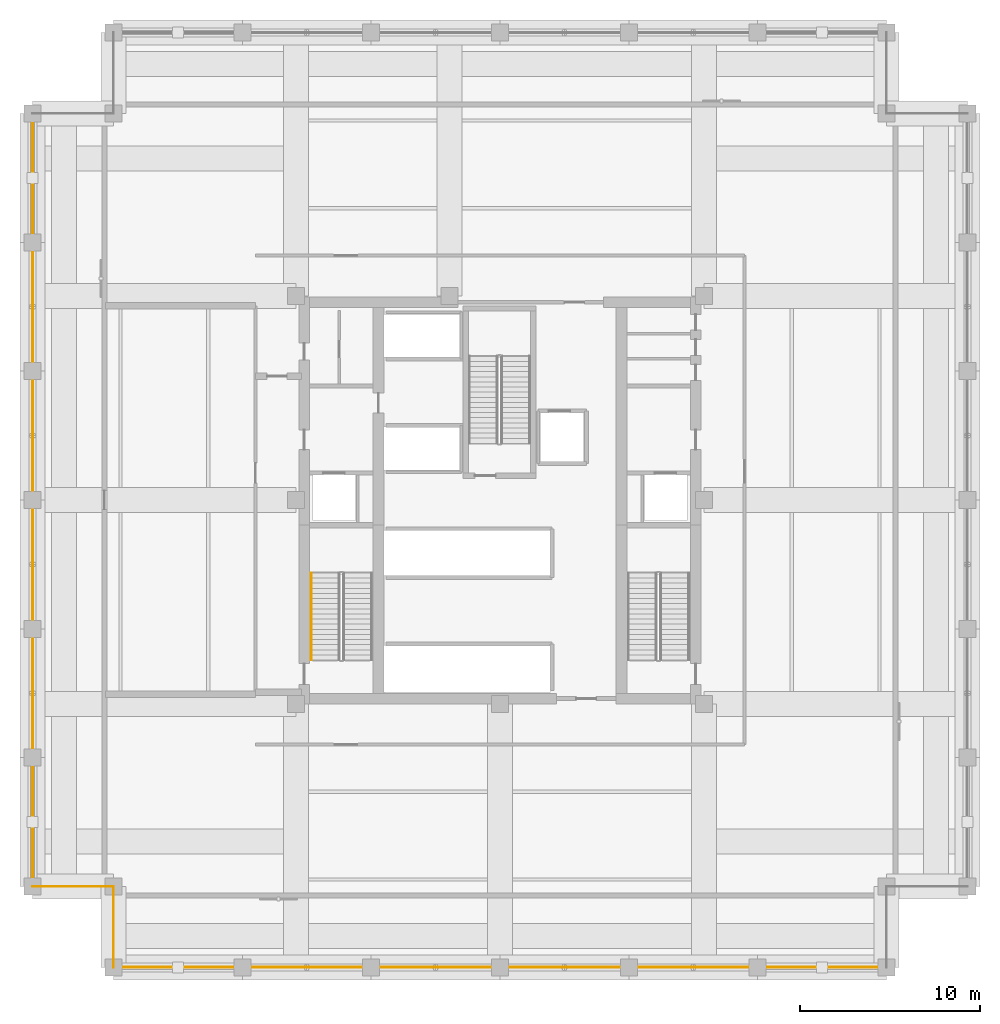
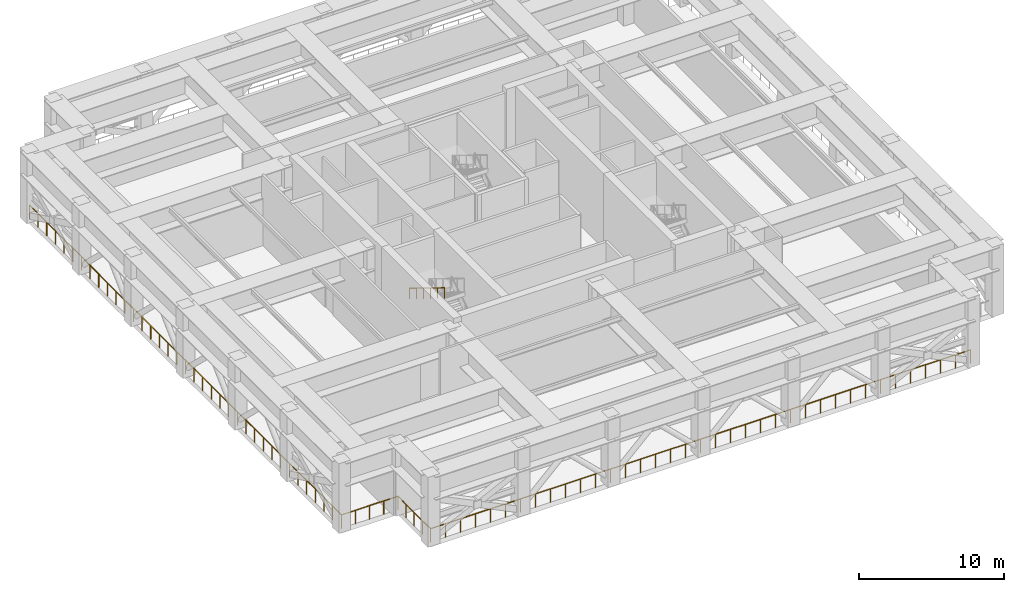
# One storey, part 7 of 12: 5 railings.
"""IFC4 building model written with IfcOpenShell, lengths in metres."""

from ifc_helpers import new_model, si_unit, direction, frame, origin, origin_2d, place, context, subcontext, project, spatial, circle, extrude, material, type_object, element, save


model = new_model("IFC4")

# Units and contexts
model_context = context("Model", 3, precision=1e-05, world=origin(), true_north=direction((0.0, 1.0)))
body_context = subcontext(model_context, "Body", "Model", "MODEL_VIEW")
ifc_project = project(units=[si_unit("LENGTHUNIT", "METRE"), si_unit("AREAUNIT", "SQUARE_METRE"), si_unit("VOLUMEUNIT", "CUBIC_METRE"), si_unit("PLANEANGLEUNIT", "RADIAN"), si_unit("MASSUNIT", "GRAM", prefix="KILO")], contexts=[model_context])

# Site, building, storey
site_placement = place(None, origin())
site = spatial("IfcSite", under=ifc_project, at=site_placement, CompositionType="ELEMENT")
building_placement = place(site_placement, origin())
building = spatial("IfcBuilding", under=site, at=building_placement, Name="Nhamokura Convention Tower", CompositionType="ELEMENT")
storey_placement = place(building_placement, frame((0.0, 0.0, 176.050048828125)))
storey = spatial("IfcBuildingStorey", under=building, at=storey_placement, Name="L43", CompositionType="ELEMENT", Elevation=176.050048828125)

# Railings
ifc_material_1 = material(Name="Anodised bronze stainless steel", Category="steel")
railing_type_1 = type_object("IfcRailingType", Name="StairWallHandrail_900", PredefinedType="HANDRAIL", material=ifc_material_1)
railing_1_placement = place(storey_placement, frame((21.5, 27.945068359375, 3.324951171875)))
element("IfcRailing", 1, at=railing_1_placement, inside=storey, type_object=railing_type_1, Name="L43 ST-01 stair handrail 2", PredefinedType="HANDRAIL", context=body_context, shape_type="SweptSolid", body=[
    extrude(circle(Radius=0.02392578125, at=origin_2d()), frame((0.0, 0.0, 0.8759765625), z_axis=(0.0, -0.852162155598, 0.52327780439), x_axis=(1.0, 0.0, 0.0)), (0.0, 0.0, 1.0), 5.685546875),
    extrude(circle(Radius=0.02099609375, at=origin_2d()), origin(), (0.0, 0.0, 1.0), 0.851806640625),
    extrude(circle(Radius=0.02099609375, at=origin_2d()), frame((0.0, -0.968994140625, 0.594970703125)), (0.0, 0.0, 1.0), 0.851806640625),
    extrude(circle(Radius=0.02099609375, at=origin_2d()), frame((0.0, -1.93798828125, 1.18994140625)), (0.0, 0.0, 1.0), 0.851806640625),
    extrude(circle(Radius=0.02099609375, at=origin_2d()), frame((0.0, -2.906982421875, 1.78515625)), (0.0, 0.0, 1.0), 0.851806640625),
    extrude(circle(Radius=0.02099609375, at=origin_2d()), frame((0.0, -3.8759765625, 2.380126953125)), (0.0, 0.0, 1.0), 0.851806640625),
    extrude(circle(Radius=0.02099609375, at=origin_2d()), frame((0.0, -4.844970703125, 2.97509765625)), (0.0, 0.0, 1.0), 0.851806640625),
])
ifc_material_2 = material(Name="Anodised bronze stainless steel", Category="steel")
railing_type_2 = type_object("IfcRailingType", Name="TerraceGuardrail_1150", PredefinedType="GUARDRAIL", material=ifc_material_2)
railing_2_placement = place(storey_placement, frame((10.5, 6.0, 0.0)))
element("IfcRailing", 2, at=railing_2_placement, inside=storey, type_object=railing_type_2, Name="L43 Perimeter Guardrail 01", PredefinedType="GUARDRAIL", context=body_context, shape_type="SweptSolid", body=[
    extrude(circle(Radius=0.02392578125, at=origin_2d()), frame((0.0, 0.0, 1.1259765625), z_axis=(1.0, 0.0, 0.0), x_axis=(0.0, 1.0, 0.0)), (0.0, 0.0, 1.0), 43.0),
    extrude(circle(Radius=0.02099609375, at=origin_2d()), origin(), (0.0, 0.0, 1.0), 1.101806640625),
    extrude(circle(Radius=0.02099609375, at=origin_2d()), frame((1.1943359375, 0.0, 0.0)), (0.0, 0.0, 1.0), 1.101806640625),
    extrude(circle(Radius=0.02099609375, at=origin_2d()), frame((2.388916015625, 0.0, 0.0)), (0.0, 0.0, 1.0), 1.101806640625),
    extrude(circle(Radius=0.02099609375, at=origin_2d()), frame((3.583251953125, 0.0, 0.0)), (0.0, 0.0, 1.0), 1.101806640625),
    extrude(circle(Radius=0.02099609375, at=origin_2d()), frame((4.77783203125, 0.0, 0.0)), (0.0, 0.0, 1.0), 1.101806640625),
    extrude(circle(Radius=0.02099609375, at=origin_2d()), frame((5.97216796875, 0.0, 0.0)), (0.0, 0.0, 1.0), 1.101806640625),
    extrude(circle(Radius=0.02099609375, at=origin_2d()), frame((7.166748046875, 0.0, 0.0)), (0.0, 0.0, 1.0), 1.101806640625),
    extrude(circle(Radius=0.02099609375, at=origin_2d()), frame((8.361083984375, 0.0, 0.0)), (0.0, 0.0, 1.0), 1.101806640625),
    extrude(circle(Radius=0.02099609375, at=origin_2d()), frame((9.5556640625, 0.0, 0.0)), (0.0, 0.0, 1.0), 1.101806640625),
    extrude(circle(Radius=0.02099609375, at=origin_2d()), frame((10.75, 0.0, 0.0)), (0.0, 0.0, 1.0), 1.101806640625),
    extrude(circle(Radius=0.02099609375, at=origin_2d()), frame((11.9443359375, 0.0, 0.0)), (0.0, 0.0, 1.0), 1.101806640625),
    extrude(circle(Radius=0.02099609375, at=origin_2d()), frame((13.138916015625, 0.0, 0.0)), (0.0, 0.0, 1.0), 1.101806640625),
    extrude(circle(Radius=0.02099609375, at=origin_2d()), frame((14.333251953125, 0.0, 0.0)), (0.0, 0.0, 1.0), 1.101806640625),
    extrude(circle(Radius=0.02099609375, at=origin_2d()), frame((15.52783203125, 0.0, 0.0)), (0.0, 0.0, 1.0), 1.101806640625),
    extrude(circle(Radius=0.02099609375, at=origin_2d()), frame((16.72216796875, 0.0, 0.0)), (0.0, 0.0, 1.0), 1.101806640625),
    extrude(circle(Radius=0.02099609375, at=origin_2d()), frame((17.916748046875, 0.0, 0.0)), (0.0, 0.0, 1.0), 1.101806640625),
    extrude(circle(Radius=0.02099609375, at=origin_2d()), frame((19.111083984375, 0.0, 0.0)), (0.0, 0.0, 1.0), 1.101806640625),
    extrude(circle(Radius=0.02099609375, at=origin_2d()), frame((20.3056640625, 0.0, 0.0)), (0.0, 0.0, 1.0), 1.101806640625),
    extrude(circle(Radius=0.02099609375, at=origin_2d()), frame((21.5, 0.0, 0.0)), (0.0, 0.0, 1.0), 1.101806640625),
    extrude(circle(Radius=0.02099609375, at=origin_2d()), frame((22.6943359375, 0.0, 0.0)), (0.0, 0.0, 1.0), 1.101806640625),
    extrude(circle(Radius=0.02099609375, at=origin_2d()), frame((23.888916015625, 0.0, 0.0)), (0.0, 0.0, 1.0), 1.101806640625),
    extrude(circle(Radius=0.02099609375, at=origin_2d()), frame((25.083251953125, 0.0, 0.0)), (0.0, 0.0, 1.0), 1.101806640625),
    extrude(circle(Radius=0.02099609375, at=origin_2d()), frame((26.27783203125, 0.0, 0.0)), (0.0, 0.0, 1.0), 1.101806640625),
    extrude(circle(Radius=0.02099609375, at=origin_2d()), frame((27.47216796875, 0.0, 0.0)), (0.0, 0.0, 1.0), 1.101806640625),
    extrude(circle(Radius=0.02099609375, at=origin_2d()), frame((28.666748046875, 0.0, 0.0)), (0.0, 0.0, 1.0), 1.101806640625),
    extrude(circle(Radius=0.02099609375, at=origin_2d()), frame((29.861083984375, 0.0, 0.0)), (0.0, 0.0, 1.0), 1.101806640625),
    extrude(circle(Radius=0.02099609375, at=origin_2d()), frame((31.0556640625, 0.0, 0.0)), (0.0, 0.0, 1.0), 1.101806640625),
    extrude(circle(Radius=0.02099609375, at=origin_2d()), frame((32.25, 0.0, 0.0)), (0.0, 0.0, 1.0), 1.101806640625),
    extrude(circle(Radius=0.02099609375, at=origin_2d()), frame((33.4443359375, 0.0, 0.0)), (0.0, 0.0, 1.0), 1.101806640625),
    extrude(circle(Radius=0.02099609375, at=origin_2d()), frame((34.638916015625, 0.0, 0.0)), (0.0, 0.0, 1.0), 1.101806640625),
    extrude(circle(Radius=0.02099609375, at=origin_2d()), frame((35.833251953125, 0.0, 0.0)), (0.0, 0.0, 1.0), 1.101806640625),
    extrude(circle(Radius=0.02099609375, at=origin_2d()), frame((37.02783203125, 0.0, 0.0)), (0.0, 0.0, 1.0), 1.101806640625),
    extrude(circle(Radius=0.02099609375, at=origin_2d()), frame((38.22216796875, 0.0, 0.0)), (0.0, 0.0, 1.0), 1.101806640625),
    extrude(circle(Radius=0.02099609375, at=origin_2d()), frame((39.416748046875, 0.0, 0.0)), (0.0, 0.0, 1.0), 1.101806640625),
    extrude(circle(Radius=0.02099609375, at=origin_2d()), frame((40.611083984375, 0.0, 0.0)), (0.0, 0.0, 1.0), 1.101806640625),
    extrude(circle(Radius=0.02099609375, at=origin_2d()), frame((41.8056640625, 0.0, 0.0)), (0.0, 0.0, 1.0), 1.101806640625),
    extrude(circle(Radius=0.02099609375, at=origin_2d()), frame((43.0, 0.0, 0.0)), (0.0, 0.0, 1.0), 1.101806640625),
])
railing_3_placement = place(storey_placement, frame((6.0, 53.5, 0.0)))
element("IfcRailing", 3, at=railing_3_placement, inside=storey, type_object=railing_type_2, Name="L43 Perimeter Guardrail 10", PredefinedType="GUARDRAIL", context=body_context, shape_type="SweptSolid", body=[
    extrude(circle(Radius=0.02392578125, at=origin_2d()), frame((0.0, 0.0, 1.1259765625), z_axis=(0.0, -1.0, 0.0), x_axis=(1.0, 0.0, 0.0)), (0.0, 0.0, 1.0), 43.0),
    extrude(circle(Radius=0.02099609375, at=origin_2d()), origin(), (0.0, 0.0, 1.0), 1.101806640625),
    extrude(circle(Radius=0.02099609375, at=origin_2d()), frame((0.0, -1.1943359375, 0.0)), (0.0, 0.0, 1.0), 1.101806640625),
    extrude(circle(Radius=0.02099609375, at=origin_2d()), frame((0.0, -2.388916015625, 0.0)), (0.0, 0.0, 1.0), 1.101806640625),
    extrude(circle(Radius=0.02099609375, at=origin_2d()), frame((0.0, -3.583251953125, 0.0)), (0.0, 0.0, 1.0), 1.101806640625),
    extrude(circle(Radius=0.02099609375, at=origin_2d()), frame((0.0, -4.77783203125, 0.0)), (0.0, 0.0, 1.0), 1.101806640625),
    extrude(circle(Radius=0.02099609375, at=origin_2d()), frame((0.0, -5.97216796875, 0.0)), (0.0, 0.0, 1.0), 1.101806640625),
    extrude(circle(Radius=0.02099609375, at=origin_2d()), frame((0.0, -7.166748046875, 0.0)), (0.0, 0.0, 1.0), 1.101806640625),
    extrude(circle(Radius=0.02099609375, at=origin_2d()), frame((0.0, -8.361083984375, 0.0)), (0.0, 0.0, 1.0), 1.101806640625),
    extrude(circle(Radius=0.02099609375, at=origin_2d()), frame((0.0, -9.5556640625, 0.0)), (0.0, 0.0, 1.0), 1.101806640625),
    extrude(circle(Radius=0.02099609375, at=origin_2d()), frame((0.0, -10.75, 0.0)), (0.0, 0.0, 1.0), 1.101806640625),
    extrude(circle(Radius=0.02099609375, at=origin_2d()), frame((0.0, -11.9443359375, 0.0)), (0.0, 0.0, 1.0), 1.101806640625),
    extrude(circle(Radius=0.02099609375, at=origin_2d()), frame((0.0, -13.138916015625, 0.0)), (0.0, 0.0, 1.0), 1.101806640625),
    extrude(circle(Radius=0.02099609375, at=origin_2d()), frame((0.0, -14.333251953125, 0.0)), (0.0, 0.0, 1.0), 1.101806640625),
    extrude(circle(Radius=0.02099609375, at=origin_2d()), frame((0.0, -15.52783203125, 0.0)), (0.0, 0.0, 1.0), 1.101806640625),
    extrude(circle(Radius=0.02099609375, at=origin_2d()), frame((0.0, -16.72216796875, 0.0)), (0.0, 0.0, 1.0), 1.101806640625),
    extrude(circle(Radius=0.02099609375, at=origin_2d()), frame((0.0, -17.916748046875, 0.0)), (0.0, 0.0, 1.0), 1.101806640625),
    extrude(circle(Radius=0.02099609375, at=origin_2d()), frame((0.0, -19.111083984375, 0.0)), (0.0, 0.0, 1.0), 1.101806640625),
    extrude(circle(Radius=0.02099609375, at=origin_2d()), frame((0.0, -20.3056640625, 0.0)), (0.0, 0.0, 1.0), 1.101806640625),
    extrude(circle(Radius=0.02099609375, at=origin_2d()), frame((0.0, -21.5, 0.0)), (0.0, 0.0, 1.0), 1.101806640625),
    extrude(circle(Radius=0.02099609375, at=origin_2d()), frame((0.0, -22.6943359375, 0.0)), (0.0, 0.0, 1.0), 1.101806640625),
    extrude(circle(Radius=0.02099609375, at=origin_2d()), frame((0.0, -23.888916015625, 0.0)), (0.0, 0.0, 1.0), 1.101806640625),
    extrude(circle(Radius=0.02099609375, at=origin_2d()), frame((0.0, -25.083251953125, 0.0)), (0.0, 0.0, 1.0), 1.101806640625),
    extrude(circle(Radius=0.02099609375, at=origin_2d()), frame((0.0, -26.27783203125, 0.0)), (0.0, 0.0, 1.0), 1.101806640625),
    extrude(circle(Radius=0.02099609375, at=origin_2d()), frame((0.0, -27.47216796875, 0.0)), (0.0, 0.0, 1.0), 1.101806640625),
    extrude(circle(Radius=0.02099609375, at=origin_2d()), frame((0.0, -28.666748046875, 0.0)), (0.0, 0.0, 1.0), 1.101806640625),
    extrude(circle(Radius=0.02099609375, at=origin_2d()), frame((0.0, -29.861083984375, 0.0)), (0.0, 0.0, 1.0), 1.101806640625),
    extrude(circle(Radius=0.02099609375, at=origin_2d()), frame((0.0, -31.0556640625, 0.0)), (0.0, 0.0, 1.0), 1.101806640625),
    extrude(circle(Radius=0.02099609375, at=origin_2d()), frame((0.0, -32.25, 0.0)), (0.0, 0.0, 1.0), 1.101806640625),
    extrude(circle(Radius=0.02099609375, at=origin_2d()), frame((0.0, -33.4443359375, 0.0)), (0.0, 0.0, 1.0), 1.101806640625),
    extrude(circle(Radius=0.02099609375, at=origin_2d()), frame((0.0, -34.638916015625, 0.0)), (0.0, 0.0, 1.0), 1.101806640625),
    extrude(circle(Radius=0.02099609375, at=origin_2d()), frame((0.0, -35.833251953125, 0.0)), (0.0, 0.0, 1.0), 1.101806640625),
    extrude(circle(Radius=0.02099609375, at=origin_2d()), frame((0.0, -37.02783203125, 0.0)), (0.0, 0.0, 1.0), 1.101806640625),
    extrude(circle(Radius=0.02099609375, at=origin_2d()), frame((0.0, -38.22216796875, 0.0)), (0.0, 0.0, 1.0), 1.101806640625),
    extrude(circle(Radius=0.02099609375, at=origin_2d()), frame((0.0, -39.416748046875, 0.0)), (0.0, 0.0, 1.0), 1.101806640625),
    extrude(circle(Radius=0.02099609375, at=origin_2d()), frame((0.0, -40.611083984375, 0.0)), (0.0, 0.0, 1.0), 1.101806640625),
    extrude(circle(Radius=0.02099609375, at=origin_2d()), frame((0.0, -41.8056640625, 0.0)), (0.0, 0.0, 1.0), 1.101806640625),
    extrude(circle(Radius=0.02099609375, at=origin_2d()), frame((0.0, -43.0, 0.0)), (0.0, 0.0, 1.0), 1.101806640625),
])
railing_4_placement = place(storey_placement, frame((6.0, 10.5, 0.0)))
element("IfcRailing", 4, at=railing_4_placement, inside=storey, type_object=railing_type_2, Name="L43 Perimeter Guardrail 11", PredefinedType="GUARDRAIL", context=body_context, shape_type="SweptSolid", body=[
    extrude(circle(Radius=0.02392578125, at=origin_2d()), frame((0.0, 0.0, 1.1259765625), z_axis=(1.0, 0.0, 0.0), x_axis=(0.0, 1.0, 0.0)), (0.0, 0.0, 1.0), 4.5),
    extrude(circle(Radius=0.02099609375, at=origin_2d()), origin(), (0.0, 0.0, 1.0), 1.101806640625),
    extrude(circle(Radius=0.02099609375, at=origin_2d()), frame((1.125, 0.0, 0.0)), (0.0, 0.0, 1.0), 1.101806640625),
    extrude(circle(Radius=0.02099609375, at=origin_2d()), frame((2.25, 0.0, 0.0)), (0.0, 0.0, 1.0), 1.101806640625),
    extrude(circle(Radius=0.02099609375, at=origin_2d()), frame((3.375, 0.0, 0.0)), (0.0, 0.0, 1.0), 1.101806640625),
    extrude(circle(Radius=0.02099609375, at=origin_2d()), frame((4.5, 0.0, 0.0)), (0.0, 0.0, 1.0), 1.101806640625),
])
railing_5_placement = place(storey_placement, frame((10.5, 10.5, 0.0)))
element("IfcRailing", 5, at=railing_5_placement, inside=storey, type_object=railing_type_2, Name="L43 Perimeter Guardrail 12", PredefinedType="GUARDRAIL", context=body_context, shape_type="SweptSolid", body=[
    extrude(circle(Radius=0.02392578125, at=origin_2d()), frame((0.0, 0.0, 1.1259765625), z_axis=(0.0, -1.0, 0.0), x_axis=(1.0, 0.0, 0.0)), (0.0, 0.0, 1.0), 4.5),
    extrude(circle(Radius=0.02099609375, at=origin_2d()), origin(), (0.0, 0.0, 1.0), 1.101806640625),
    extrude(circle(Radius=0.02099609375, at=origin_2d()), frame((0.0, -1.125, 0.0)), (0.0, 0.0, 1.0), 1.101806640625),
    extrude(circle(Radius=0.02099609375, at=origin_2d()), frame((0.0, -2.25, 0.0)), (0.0, 0.0, 1.0), 1.101806640625),
    extrude(circle(Radius=0.02099609375, at=origin_2d()), frame((0.0, -3.375, 0.0)), (0.0, 0.0, 1.0), 1.101806640625),
    extrude(circle(Radius=0.02099609375, at=origin_2d()), frame((0.0, -4.5, 0.0)), (0.0, 0.0, 1.0), 1.101806640625),
])

save(model, "model.ifc")
